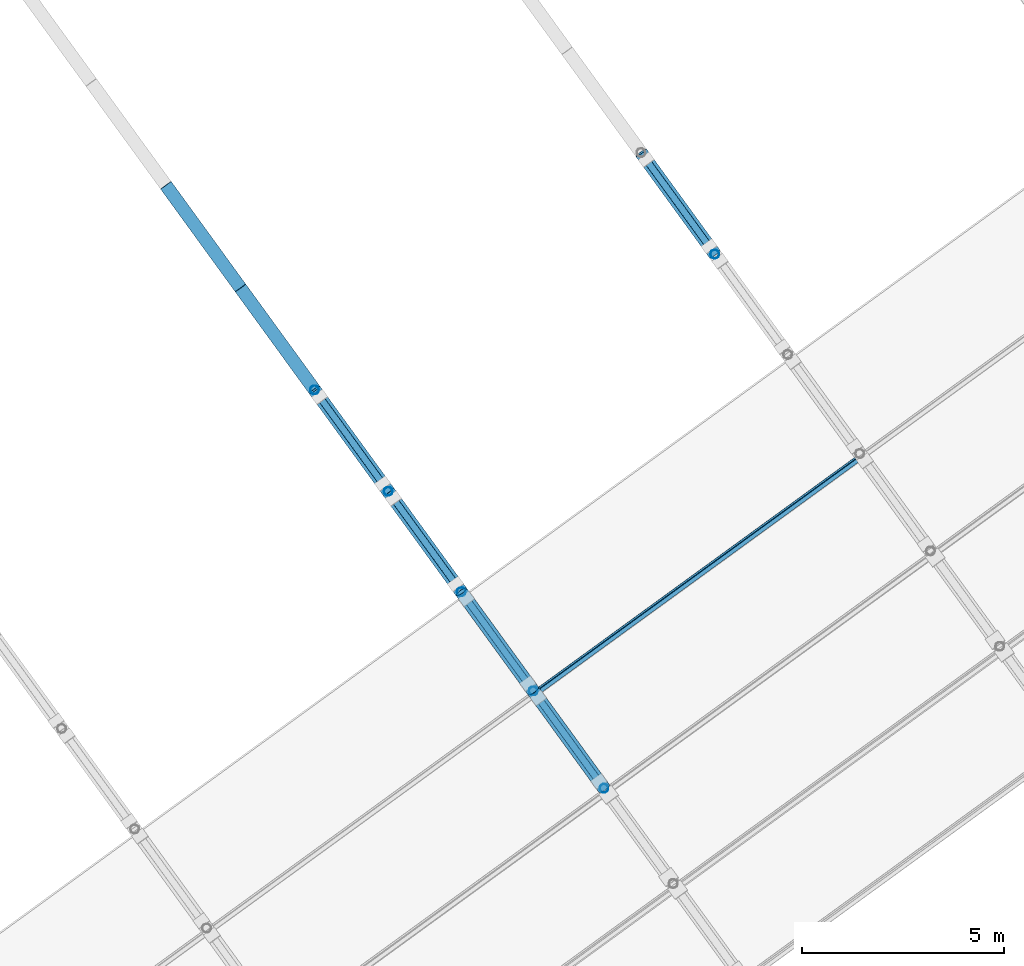
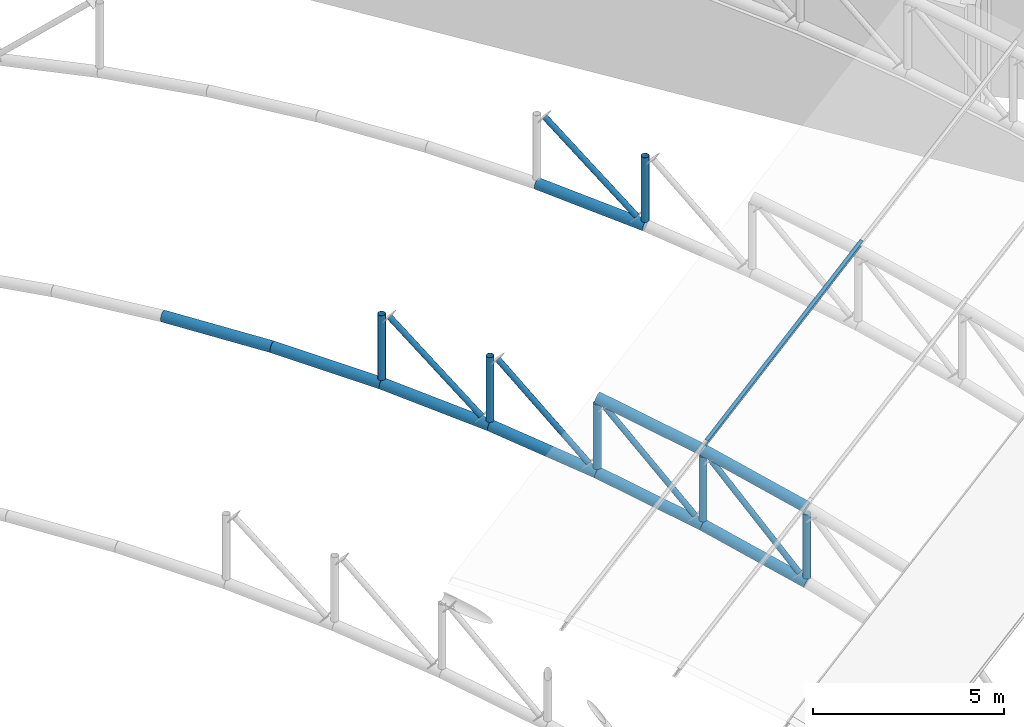
# One storey, part 26 of 69: 20 members, 1 beam.
"""IFC4 building model written with IfcOpenShell, lengths in metres."""

from ifc_helpers import new_model, si_unit, direction, frame, origin, origin_2d, place, context, subcontext, project, spatial, hollow_circle, i_section, extrude, material, material_profile, profile_set, type_object, element, save


model = new_model("IFC4")

# Units and contexts
model_context = context("Model", 3, precision=1e-05, world=origin(), true_north=direction((0.0, 1.0)))
body_context = subcontext(model_context, "Body", "Model", "MODEL_VIEW")
ifc_project = project(units=[si_unit("LENGTHUNIT", "METRE"), si_unit("AREAUNIT", "SQUARE_METRE"), si_unit("VOLUMEUNIT", "CUBIC_METRE"), si_unit("PLANEANGLEUNIT", "RADIAN"), si_unit("MASSUNIT", "GRAM", prefix="KILO")], contexts=[model_context])

# Site, building, storey
site_placement = place(None, origin())
site = spatial("IfcSite", under=ifc_project, at=site_placement, CompositionType="ELEMENT")
building_placement = place(site_placement, origin())
building = spatial("IfcBuilding", under=site, at=building_placement, Name="Okhra Congress Centre", CompositionType="ELEMENT")
storey_placement = place(building_placement, frame((0.0, 0.0, 16.800048828125)))
storey = spatial("IfcBuildingStorey", under=building, at=storey_placement, Name="L03", CompositionType="ELEMENT", Elevation=16.800048828125)

# Members
ifc_material_1 = material(Name="Steel S355J2H", Category="steel")
ifc_material_profile_1 = material_profile(ifc_material_1, hollow_circle(Radius=0.084228515625, WallThickness=0.00634765625, at=origin_2d()), Name="CHS 168.3x6.3")
ifc_profile_set_1 = profile_set([ifc_material_profile_1], Name="Steel S355J2H")
member_type_1 = type_object("IfcMemberType", Name="CHS 168.3x6.3", PredefinedType="BRACE", material=ifc_profile_set_1)
member_1_placement = place(storey_placement, frame((257.0283203125, 186.69873046875, 0.876220703125), z_axis=(-0.388305830606, 0.534492302501, 0.750690722258), x_axis=(-0.809035390265, -0.587759931689, 0.0)))
element("IfcMember", 1, at=member_1_placement, inside=storey, type_object=member_type_1, Name="Truss 5 diagonal 4", PredefinedType="BRACE", context=body_context, shape_type="SweptSolid", body=[
    extrude(hollow_circle(Radius=0.084228515625, WallThickness=0.00634765625, at=origin_2d()), origin(), (0.0, 0.0, 1.0), 3.8427734375),
])
member_2_placement = place(storey_placement, frame((255.267822265625, 189.121826171875, 1.861572265625), z_axis=(-0.40351165572, 0.555446411968, 0.727088458945), x_axis=(-0.809047320302, -0.587743509971, 0.0)))
element("IfcMember", 2, at=member_2_placement, inside=storey, type_object=member_type_1, Name="Truss 5 diagonal 5", PredefinedType="BRACE", context=body_context, shape_type="SweptSolid", body=[
    extrude(hollow_circle(Radius=0.084228515625, WallThickness=0.00634765625, at=origin_2d()), origin(), (0.0, 0.0, 1.0), 3.753662109375),
])
member_3_placement = place(storey_placement, frame((253.475830078125, 191.58837890625, 2.67236328125), z_axis=(-0.418439949368, 0.575872140845, 0.702338441331), x_axis=(-0.808987367589, -0.587826027904, 0.0)))
element("IfcMember", 3, at=member_3_placement, inside=storey, type_object=member_type_1, Name="Truss 5 diagonal 6", PredefinedType="BRACE", context=body_context, shape_type="SweptSolid", body=[
    extrude(hollow_circle(Radius=0.084228515625, WallThickness=0.00634765625, at=origin_2d()), origin(), (0.0, 0.0, 1.0), 3.658203125),
])
for number, where, z_axis, x_axis, name in (
    (4, (251.66796875, 194.07666015625, 3.290283203125), (-0.432835381478, 0.595779555186, 0.676535478865), (-0.809032364404, -0.587764096681, 0.0), "Truss 5 diagonal 7"),
    (5, (259.758056640625, 199.95458984375, 3.290283203125), (-0.432835381478, 0.595779555186, 0.676535478865), (-0.809032364404, -0.587764096681, 0.0), "Truss 6 diagonal 7"),
):
    element("IfcMember", number, at=place(storey_placement, frame(where, z_axis=z_axis, x_axis=x_axis)), inside=storey, type_object=member_type_1, Name=name, PredefinedType="BRACE", context=body_context, shape_type="SweptSolid", body=[
        extrude(hollow_circle(Radius=0.084228515625, WallThickness=0.00634765625, at=origin_2d()), origin(), (0.0, 0.0, 1.0), 3.579345703125),
    ])
ifc_material_profile_2 = material_profile(ifc_material_1, hollow_circle(Radius=0.109619140625, WallThickness=0.008056640625, at=origin_2d()), Name="CHS 219.1x8")
ifc_profile_set_2 = profile_set([ifc_material_profile_2], Name="Steel S355J2H")
member_type_2 = type_object("IfcMemberType", Name="CHS 219.1x8", PredefinedType="POST", material=ifc_profile_set_2)
member_4_placement = place(storey_placement, frame((257.15673828125, 186.52197265625, 0.80224609375), z_axis=(0.0, 0.0, 1.0), x_axis=(1.0, 0.0, 0.0)))
element("IfcMember", 6, at=member_4_placement, inside=storey, type_object=member_type_2, Name="Truss 5 post 3", PredefinedType="POST", context=body_context, shape_type="SweptSolid", body=[
    extrude(hollow_circle(Radius=0.109619140625, WallThickness=0.008056640625, at=origin_2d()), origin(), (0.0, 0.0, 1.0), 2.05126953125),
])
member_5_placement = place(storey_placement, frame((255.404296875, 188.93408203125, 1.787109375), z_axis=(0.0, 0.0, 1.0), x_axis=(1.0, 0.0, 0.0)))
element("IfcMember", 7, at=member_5_placement, inside=storey, type_object=member_type_2, Name="Truss 5 post 4", PredefinedType="POST", context=body_context, shape_type="SweptSolid", body=[
    extrude(hollow_circle(Radius=0.109619140625, WallThickness=0.008056640625, at=origin_2d()), origin(), (0.0, 0.0, 1.0), 2.057861328125),
])
member_6_placement = place(storey_placement, frame((253.620849609375, 191.388916015625, 2.597412109375), z_axis=(0.0, 0.0, 1.0), x_axis=(1.0, 0.0, 0.0)))
element("IfcMember", 8, at=member_6_placement, inside=storey, type_object=member_type_2, Name="Truss 5 post 5", PredefinedType="POST", context=body_context, shape_type="SweptSolid", body=[
    extrude(hollow_circle(Radius=0.109619140625, WallThickness=0.008056640625, at=origin_2d()), origin(), (0.0, 0.0, 1.0), 2.063232421875),
])
member_7_placement = place(storey_placement, frame((251.812744140625, 193.877685546875, 3.230712890625), z_axis=(0.0, 0.0, 1.0), x_axis=(1.0, 0.0, 0.0)))
element("IfcMember", 9, at=member_7_placement, inside=storey, type_object=member_type_2, Name="Truss 5 post 6", PredefinedType="POST", context=body_context, shape_type="SweptSolid", body=[
    extrude(hollow_circle(Radius=0.109619140625, WallThickness=0.008056640625, at=origin_2d()), origin(), (0.0, 0.0, 1.0), 2.067138671875),
])
member_8_placement = place(storey_placement, frame((249.98583984375, 196.39208984375, 3.6845703125), z_axis=(0.0, 0.0, 1.0), x_axis=(1.0, 0.0, 0.0)))
element("IfcMember", 10, at=member_8_placement, inside=storey, type_object=member_type_2, Name="Truss 5 post 7", PredefinedType="POST", context=body_context, shape_type="SweptSolid", body=[
    extrude(hollow_circle(Radius=0.109619140625, WallThickness=0.008056640625, at=origin_2d()), origin(), (0.0, 0.0, 1.0), 2.06982421875),
])
member_9_placement = place(storey_placement, frame((259.90283203125, 199.75537109375, 3.230712890625), z_axis=(0.0, 0.0, 1.0), x_axis=(1.0, 0.0, 0.0)))
element("IfcMember", 11, at=member_9_placement, inside=storey, type_object=member_type_2, Name="Truss 6 post 6", PredefinedType="POST", context=body_context, shape_type="SweptSolid", body=[
    extrude(hollow_circle(Radius=0.109619140625, WallThickness=0.008056640625, at=origin_2d()), origin(), (0.0, 0.0, 1.0), 2.067138671875),
])
ifc_material_profile_3 = material_profile(ifc_material_1, hollow_circle(Radius=0.161865234375, WallThickness=0.012451171875, at=origin_2d()), Name="CHS 323.9x12.5")
ifc_profile_set_3 = profile_set([ifc_material_profile_3], Name="Steel S355J2H")
member_type_3 = type_object("IfcMemberType", Name="CHS 323.9x12.5", PredefinedType="CHORD", material=ifc_profile_set_3)
for number, where, z_axis, x_axis, name in (
    (12, (257.15673828125, 186.52197265625, 0.6279296875), (-0.557934322118, 0.767956408823, 0.314566759768), (-0.809026346454, -0.587772380045, 0.0), "Truss 5 bottom chord 4"),
    (13, (257.15673828125, 186.52197265625, 3.028076171875), (-0.557934322118, 0.767956408823, 0.314566759768), (-0.809026346454, -0.587772380045, 0.0), "Truss 5 top chord 4"),
):
    element("IfcMember", number, at=place(storey_placement, frame(where, z_axis=z_axis, x_axis=x_axis)), inside=storey, type_object=member_type_3, Name=name, PredefinedType="CHORD", context=body_context, shape_type="SweptSolid", body=[
        extrude(hollow_circle(Radius=0.161865234375, WallThickness=0.012451171875, at=origin_2d()), origin(), (0.0, 0.0, 1.0), 3.140869140625),
    ])
for number, where, z_axis, x_axis, name in (
    (14, (255.404296875, 188.93408203125, 1.615966796875), (-0.567739531502, 0.781467623443, 0.258805289514), (-0.809031729281, -0.5877649709, 0.0), "Truss 5 bottom chord 5"),
    (15, (255.404296875, 188.93408203125, 4.01611328125), (-0.567739531502, 0.781467623443, 0.258805289514), (-0.809031729281, -0.5877649709, 0.0), "Truss 5 top chord 5"),
):
    element("IfcMember", number, at=place(storey_placement, frame(where, z_axis=z_axis, x_axis=x_axis)), inside=storey, type_object=member_type_3, Name=name, PredefinedType="CHORD", context=body_context, shape_type="SweptSolid", body=[
        extrude(hollow_circle(Radius=0.161865234375, WallThickness=0.012451171875, at=origin_2d()), origin(), (0.0, 0.0, 1.0), 3.141357421875),
    ])
for number, where, z_axis, x_axis, name in (
    (16, (253.620849609375, 191.388916015625, 2.428955078125), (-0.575620603169, 0.792313857508, 0.202236674243), (-0.80903112876, -0.587765797488, 0.0), "Truss 5 bottom chord 6"),
    (17, (251.812744140625, 193.877685546875, 3.064208984375), (-0.581594707866, 0.800460229362, 0.144951774712), (-0.809004349852, -0.587802655592, 0.0), "Truss 5 bottom chord 7"),
    (18, (249.98583984375, 196.39208984375, 3.51953125), (-0.585574378555, 0.805922581794, 0.087128866254), (-0.808999165888, -0.587809790317, 0.0), "Truss 5 bottom chord 8"),
    (19, (248.146484375, 198.923583984375, 3.793212890625), (-0.587502535633, 0.808700077161, 0.029068123869), (-0.809041951748, -0.587750899881, 0.0), "Truss 5 bottom chord 9"),
    (20, (259.90283203125, 199.75537109375, 3.064208984375), (-0.581594707866, 0.800460229362, 0.144951774712), (-0.809004349852, -0.587802655592, 0.0), "Truss 6 bottom chord 7"),
):
    element("IfcMember", number, at=place(storey_placement, frame(where, z_axis=z_axis, x_axis=x_axis)), inside=storey, type_object=member_type_3, Name=name, PredefinedType="CHORD", context=body_context, shape_type="SweptSolid", body=[
        extrude(hollow_circle(Radius=0.161865234375, WallThickness=0.012451171875, at=origin_2d()), origin(), (0.0, 0.0, 1.0), 3.14111328125),
    ])

# Beam
ifc_material_2 = material(Name="Steel S355J2", Category="steel")
ifc_material_profile_4 = material_profile(ifc_material_2, i_section(OverallWidth=0.10009765625, OverallDepth=0.199951171875, WebThickness=0.005615234375, FlangeThickness=0.008544921875, FilletRadius=0.011962890625, at=origin_2d()), Name="IPE 200")
ifc_profile_set_4 = profile_set([ifc_material_profile_4], Name="Steel S355J2")
beam_type = type_object("IfcBeamType", Name="IPE 200", PredefinedType="BEAM", material=ifc_profile_set_4)
beam_placement = place(storey_placement, frame((255.44775390625, 188.8740234375, 4.26416015625), z_axis=(0.809018924928, 0.587782595105, 0.0), x_axis=(-0.563089561631, 0.775031645345, 0.286803232717)))
element("IfcBeam", 21, at=beam_placement, inside=storey, type_object=beam_type, Name="Purlin 5.29", PredefinedType="BEAM", context=body_context, shape_type="SweptSolid", body=[
    extrude(i_section(OverallWidth=0.10009765625, OverallDepth=0.199951171875, WebThickness=0.005615234375, FlangeThickness=0.008544921875, FilletRadius=0.011962890625, at=origin_2d()), origin(), (0.0, 0.0, 1.0), 10.000244140625),
])

save(model, "model.ifc")
